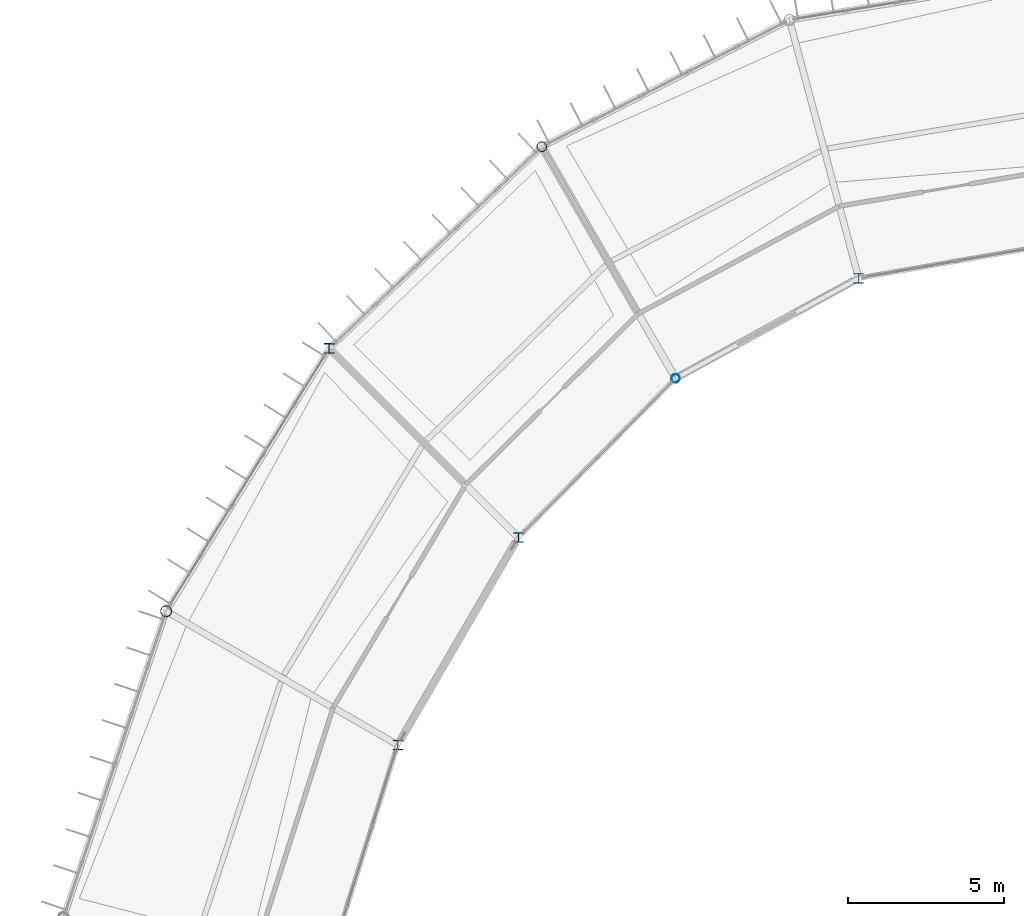
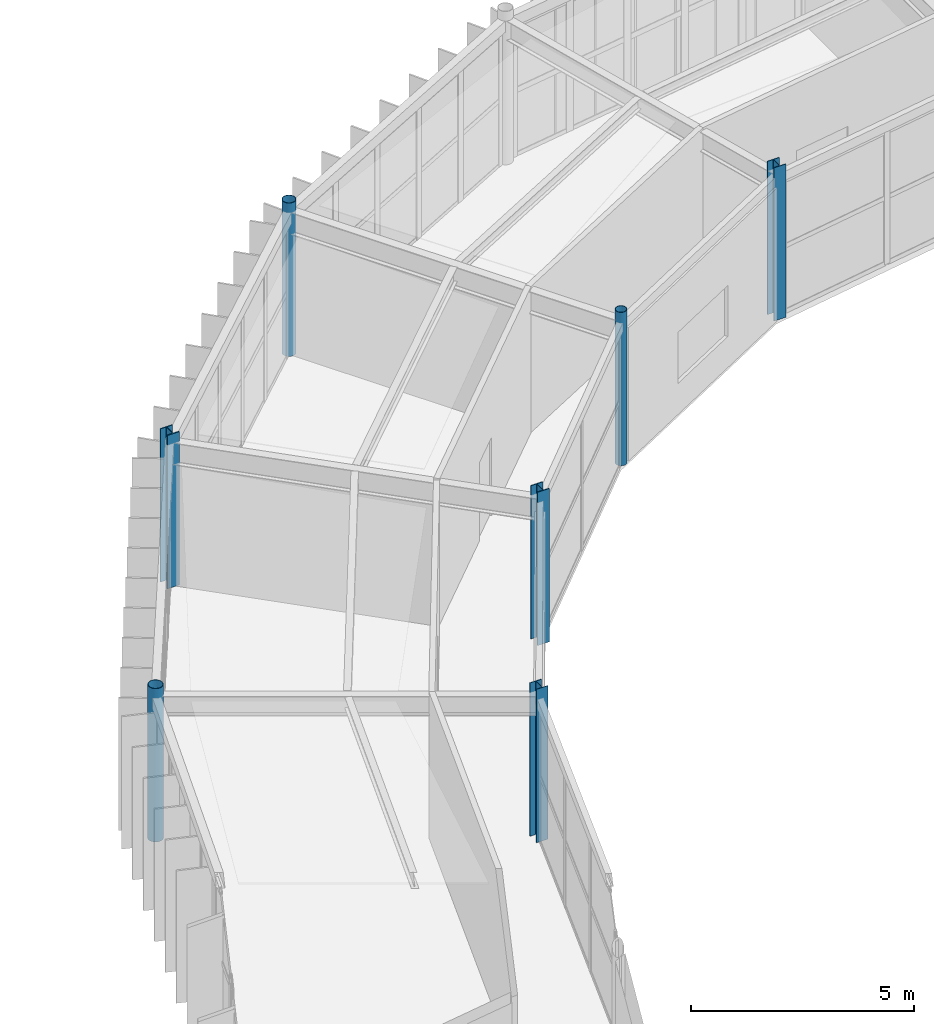
# One storey, part 12 of 147: 7 columns.
"""IFC4 building model written with IfcOpenShell, lengths in metres."""

import ifcopenshell
import ifcopenshell.guid

model = None  # the IFC model being written
_history = None  # IfcOwnerHistory: only IFC2X3 demands one
_inside = {}  # id of a spatial element -> (the spatial element, [elements in it])
_under = {}  # id of a project, library or spatial element -> (it, [spatial elements below it])
_declared = {}  # id of a project -> (the project, [libraries it declares])
_typed = {}  # id of a type object -> (the type object, [elements of that type])
_made_of = {}  # id of a material, layer set ... -> (it, [elements and type objects made of it])


def new_model(schema):
    """Start an empty IFC model of exactly this schema.

    Asked for "IFC4X3", IfcOpenShell would pick the latest addendum, in which some entities
    have other attributes; the version numbers below select the first issue.
    IFC2X3 requires an IfcOwnerHistory on every rooted entity: one is made here for all.
    """
    global model, _history
    if schema == "IFC4X3":
        model = ifcopenshell.file(schema_version=(4, 3, 0, 0))
    else:
        model = ifcopenshell.file(schema=schema)
    _inside.clear()
    _under.clear()
    _declared.clear()
    _typed.clear()
    _made_of.clear()
    _history = None
    if model.schema == "IFC2X3":
        org = make("IfcOrganization", Name="unknown")
        user = make(
            "IfcPersonAndOrganization",
            ThePerson=make("IfcPerson", FamilyName="unknown"),
            TheOrganization=org,
        )
        app = make(
            "IfcApplication",
            ApplicationDeveloper=org,
            Version="unknown",
            ApplicationFullName="unknown",
            ApplicationIdentifier="unknown",
        )
        _history = make(
            "IfcOwnerHistory",
            OwningUser=user,
            OwningApplication=app,
            ChangeAction="ADDED",
            CreationDate=0,
        )
    return model


def make(cls, **values):
    """One entity of the class cls with the attributes given. An attribute that is None is left unset."""
    return model.create_entity(
        cls, **{name: value for name, value in values.items() if value is not None}
    )


def rooted(cls, **values):
    """An entity with a GlobalId (a new one), such as an element, a storey or a relation."""
    return make(cls, GlobalId=ifcopenshell.guid.new(), OwnerHistory=_history, **values)


def si_unit(unit_type, name, prefix=None):
    """IfcSIUnit, for example si_unit("LENGTHUNIT", "METRE", prefix="MILLI")."""
    return make("IfcSIUnit", UnitType=unit_type, Prefix=prefix, Name=name)


def assignment(units):
    """IfcUnitAssignment: the units of a project."""
    return None if units is None else make("IfcUnitAssignment", Units=units)


def point(xyz):
    """IfcCartesianPoint."""
    return None if xyz is None else make("IfcCartesianPoint", Coordinates=xyz)


def direction(xyz):
    """IfcDirection."""
    return None if xyz is None else make("IfcDirection", DirectionRatios=xyz)


def frame(location, z_axis=None, x_axis=None):
    """IfcAxis2Placement3D, a coordinate frame: its origin and axes. An axis left out is left unset."""
    return make(
        "IfcAxis2Placement3D",
        Location=point(location),
        Axis=direction(z_axis),
        RefDirection=direction(x_axis),
    )


def frame_2d(location, x_axis=None):
    """IfcAxis2Placement2D, a coordinate frame in the plane: its origin and x axis."""
    return make(
        "IfcAxis2Placement2D", Location=point(location), RefDirection=direction(x_axis)
    )


def origin():
    """The frame at (0, 0, 0) with its axes left unset."""
    return frame((0.0, 0.0, 0.0))


def origin_2d():
    """The frame at (0, 0) in the plane with its x axis left unset."""
    return frame_2d((0.0, 0.0))


def place(relative_to, where):
    """IfcLocalPlacement: puts the frame where relative to a parent placement (None: the world)."""
    return make(
        "IfcLocalPlacement", PlacementRelTo=relative_to, RelativePlacement=where
    )


def context(
    kind, dimensions, precision=None, world=None, true_north=None, identifier=None
):
    """IfcGeometricRepresentationContext, for example the 3D "Model" context."""
    return make(
        "IfcGeometricRepresentationContext",
        ContextIdentifier=identifier,
        ContextType=kind,
        CoordinateSpaceDimension=dimensions,
        Precision=precision,
        WorldCoordinateSystem=world,
        TrueNorth=true_north,
    )


def subcontext(parent, identifier, kind, view, scale=None):
    """IfcGeometricRepresentationSubContext, for example "Body" below "Model"."""
    return make(
        "IfcGeometricRepresentationSubContext",
        ContextIdentifier=identifier,
        ContextType=kind,
        ParentContext=parent,
        TargetScale=scale,
        TargetView=view,
    )


def project(units=None, contexts=None):
    """IfcProject with its units and contexts."""
    return rooted(
        "IfcProject",
        Name="project",
        RepresentationContexts=contexts,
        UnitsInContext=assignment(units),
    )


def spatial(cls, under=None, at=None, **own):
    """A site, building, storey or space (cls), placed at a placement, below another one or the project."""
    s = rooted(cls, ObjectPlacement=at, **own)
    if under is not None:
        _under.setdefault(under.id(), (under, []))[1].append(s)
    return s


def profile(cls, at=None, kind="AREA", **sizes):
    """A parametric profile (cls). Its sizes go by their IFC names, for example OverallWidth=200.0."""
    return make(cls, ProfileType=kind, Position=at, **sizes)


def hollow_circle(**sizes):
    """IfcCircleHollowProfileDef."""
    return profile("IfcCircleHollowProfileDef", **sizes)


def i_section(**sizes):
    """IfcIShapeProfileDef."""
    return profile("IfcIShapeProfileDef", **sizes)


def extrude(swept, where, along, depth):
    """IfcExtrudedAreaSolid: the profile swept, set in the frame where, extruded along a direction by depth."""
    return make(
        "IfcExtrudedAreaSolid",
        SweptArea=swept,
        Position=where,
        ExtrudedDirection=direction(along),
        Depth=depth,
    )


def shape(context_of_items, identifier, shape_type, items):
    """IfcShapeRepresentation: the items that make up one representation, for example the "Body"."""
    return make(
        "IfcShapeRepresentation",
        ContextOfItems=context_of_items,
        RepresentationIdentifier=identifier,
        RepresentationType=shape_type,
        Items=items,
    )


def material(Name=None, Category=None):
    """IfcMaterial."""
    return make("IfcMaterial", Name=Name, Category=Category)


def material_profile(
    of_material, cross_section, Name=None, Category=None, Priority=None
):
    """IfcMaterialProfile: a cross section and its material."""
    return make(
        "IfcMaterialProfile",
        Name=Name,
        Material=of_material,
        Profile=cross_section,
        Priority=Priority,
        Category=Category,
    )


def profile_set(profiles, Name=None, composite=None):
    """IfcMaterialProfileSet."""
    return make(
        "IfcMaterialProfileSet",
        Name=Name,
        MaterialProfiles=profiles,
        CompositeProfile=composite,
    )


def made_of(thing, what):
    """Note that an element or type object is made of a material, layer set ...; save() writes the relation."""
    if what is not None:
        _made_of.setdefault(what.id(), (what, []))[1].append(thing)
    return thing


def type_object(cls, material=None, **own):
    """A type object (cls), such as IfcWallType, which elements share."""
    return made_of(rooted(cls, **own), material)


def element(
    cls,
    number,
    at=None,
    inside=None,
    cuts=None,
    type_object=None,
    material=None,
    context=None,
    identifier="Body",
    shape_type=None,
    held_by="IfcProductDefinitionShape",
    body=None,
    shapes=None,
    **own,
):
    """One element of the class cls, such as IfcWall. Its Tag is "e" and its number.

    at: its placement. inside: the storey or other place that contains it. cuts: it is an
    opening in that element (IfcRelVoidsElement). A single representation is given by context,
    identifier, shape_type and body (its items); several are given by shapes. held_by: the class
    of the entity that holds the representations. save() writes the other relations.
    """
    e = rooted(cls, Tag="e%d" % number, ObjectPlacement=at, **own)
    if body is not None:
        shapes = [shape(context, identifier, shape_type, body)]
    if shapes is not None:
        e.Representation = make(held_by, Representations=shapes)
    if inside is not None:
        _inside.setdefault(inside.id(), (inside, []))[1].append(e)
    if cuts is not None:
        rooted(
            "IfcRelVoidsElement", RelatingBuildingElement=cuts, RelatedOpeningElement=e
        )
    if type_object is not None:
        _typed.setdefault(type_object.id(), (type_object, []))[1].append(e)
    return made_of(e, material)


def aggregate(whole, parts):
    """IfcRelAggregates: a whole, such as a stair, and the parts it consists of."""
    return rooted("IfcRelAggregates", RelatingObject=whole, RelatedObjects=parts)


def save(model, path):
    """Write the relations noted so far, then the file.

    IfcRelAggregates (storeys below a building ...), IfcRelContainedInSpatialStructure (elements
    in a storey), IfcRelDefinesByType, IfcRelAssociatesMaterial and IfcRelDeclares: one each for
    every whole, place, type object, material and project.
    """
    for whole, parts in _under.values():
        aggregate(whole, parts)
    for where, things in _inside.values():
        rooted(
            "IfcRelContainedInSpatialStructure",
            RelatedElements=things,
            RelatingStructure=where,
        )
    for kind, things in _typed.values():
        rooted("IfcRelDefinesByType", RelatedObjects=things, RelatingType=kind)
    for what, things in _made_of.values():
        rooted("IfcRelAssociatesMaterial", RelatedObjects=things, RelatingMaterial=what)
    for by, libraries in _declared.values():
        rooted("IfcRelDeclares", RelatingContext=by, RelatedDefinitions=libraries)
    model.write(path)


model = new_model("IFC4")

# Units and contexts
model_context = context("Model", 3, precision=1e-05, world=origin(), true_north=direction((0.0, 1.0)))
body_context = subcontext(model_context, "Body", "Model", "MODEL_VIEW")
ifc_project = project(units=[si_unit("LENGTHUNIT", "METRE"), si_unit("AREAUNIT", "SQUARE_METRE"), si_unit("VOLUMEUNIT", "CUBIC_METRE"), si_unit("PLANEANGLEUNIT", "RADIAN"), si_unit("MASSUNIT", "GRAM", prefix="KILO")], contexts=[model_context])

# Site, building, storey
site_placement = place(None, origin())
site = spatial("IfcSite", under=ifc_project, at=site_placement, CompositionType="ELEMENT")
building_placement = place(site_placement, origin())
building = spatial("IfcBuilding", under=site, at=building_placement, Name="Karori Crest Natural Sciences Institute", CompositionType="ELEMENT")
storey_placement = place(building_placement, frame((0.0, 0.0, 9.10009765625)))
storey = spatial("IfcBuildingStorey", under=building, at=storey_placement, Name="L02", CompositionType="ELEMENT", Elevation=9.10009765625)

# Columns
ifc_material_1 = material(Name="Structural steel AS/NZS 3679.1 Grade 350", Category="steel")
ifc_material_profile_1 = material_profile(ifc_material_1, i_section(OverallWidth=0.31103515625, OverallDepth=0.326904296875, WebThickness=0.015625, FlangeThickness=0.02490234375, FilletRadius=0.01708984375, at=origin_2d()), Name="310UC158")
ifc_profile_set_1 = profile_set([ifc_material_profile_1], Name="Structural steel AS/NZS 3679.1 Grade 350")
column_type_1 = type_object("IfcColumnType", Name="CT-04", PredefinedType="COLUMN", material=ifc_profile_set_1)
column_1_placement = place(storey_placement, frame((43.0654296875, 78.75, 0.0), z_axis=(0.0, 0.0, 1.0), x_axis=(1.0, 0.0, 0.0)))
element("IfcColumn", 1, at=column_1_placement, inside=storey, type_object=column_type_1, Name="Column C-0163", PredefinedType="COLUMN", context=body_context, shape_type="SweptSolid", body=[
    extrude(i_section(OverallWidth=0.31103515625, OverallDepth=0.326904296875, WebThickness=0.015625, FlangeThickness=0.02490234375, FilletRadius=0.01708984375, at=origin_2d()), origin(), (0.0, 0.0, 1.0), 4.199951171875),
])
ifc_material_profile_2 = material_profile(ifc_material_1, i_section(OverallWidth=0.306884765625, OverallDepth=0.31494140625, WebThickness=0.011962890625, FlangeThickness=0.018798828125, FilletRadius=0.01708984375, at=origin_2d()), Name="310UC118")
ifc_profile_set_2 = profile_set([ifc_material_profile_2], Name="Structural steel AS/NZS 3679.1 Grade 350")
column_type_2 = type_object("IfcColumnType", Name="CT-05", PredefinedType="COLUMN", material=ifc_profile_set_2)
column_2_placement = place(storey_placement, frame((49.146484375, 72.668701171875, 0.0), z_axis=(0.0, 0.0, 1.0), x_axis=(1.0, 0.0, 0.0)))
element("IfcColumn", 2, at=column_2_placement, inside=storey, type_object=column_type_2, Name="Column C-0164", PredefinedType="COLUMN", context=body_context, shape_type="SweptSolid", body=[
    extrude(i_section(OverallWidth=0.306884765625, OverallDepth=0.31494140625, WebThickness=0.011962890625, FlangeThickness=0.018798828125, FilletRadius=0.01708984375, at=origin_2d()), origin(), (0.0, 0.0, 1.0), 4.199951171875),
])
ifc_material_2 = material(Name="Hollow structural steel AS/NZS 1163 Grade C350", Category="steel")
ifc_material_profile_3 = material_profile(ifc_material_2, hollow_circle(Radius=0.177734375, WallThickness=0.0126953125, at=origin_2d()), Name="CHS355.6x12.7")
ifc_profile_set_3 = profile_set([ifc_material_profile_3], Name="Hollow structural steel AS/NZS 1163 Grade C350")
column_type_3 = type_object("IfcColumnType", Name="CT-14", PredefinedType="COLUMN", material=ifc_profile_set_3)
column_3_placement = place(storey_placement, frame((37.8212890625, 70.300048828125, 0.0), z_axis=(0.0, 0.0, 1.0), x_axis=(1.0, 0.0, 0.0)))
element("IfcColumn", 3, at=column_3_placement, inside=storey, type_object=column_type_3, Name="Column C-0179", PredefinedType="COLUMN", context=body_context, shape_type="SweptSolid", body=[
    extrude(hollow_circle(Radius=0.177734375, WallThickness=0.0126953125, at=origin_2d()), origin(), (0.0, 0.0, 1.0), 4.199951171875),
])
ifc_material_profile_4 = material_profile(ifc_material_2, hollow_circle(Radius=0.161865234375, WallThickness=0.0126953125, at=origin_2d()), Name="CHS323.9x12.7")
ifc_profile_set_4 = profile_set([ifc_material_profile_4], Name="Hollow structural steel AS/NZS 1163 Grade C350")
column_type_4 = type_object("IfcColumnType", Name="CT-15", PredefinedType="COLUMN", material=ifc_profile_set_4)
column_4_placement = place(storey_placement, frame((49.89990234375, 85.23388671875, 0.0), z_axis=(0.0, 0.0, 1.0), x_axis=(1.0, 0.0, 0.0)))
element("IfcColumn", 4, at=column_4_placement, inside=storey, type_object=column_type_4, Name="Column C-0147", PredefinedType="COLUMN", context=body_context, shape_type="SweptSolid", body=[
    extrude(hollow_circle(Radius=0.161865234375, WallThickness=0.0126953125, at=origin_2d()), origin(), (0.0, 0.0, 1.0), 4.199951171875),
])
ifc_material_profile_5 = material_profile(ifc_material_2, hollow_circle(Radius=0.136474609375, WallThickness=0.00927734375, at=origin_2d()), Name="CHS273.0x9.3")
ifc_profile_set_5 = profile_set([ifc_material_profile_5], Name="Hollow structural steel AS/NZS 1163 Grade C350")
column_type_5 = type_object("IfcColumnType", Name="CT-16", PredefinedType="COLUMN", material=ifc_profile_set_5)
column_5_placement = place(storey_placement, frame((54.199951171875, 77.785888671875, 0.0), z_axis=(0.0, 0.0, 1.0), x_axis=(1.0, 0.0, 0.0)))
element("IfcColumn", 5, at=column_5_placement, inside=storey, type_object=column_type_5, Name="Column C-0148", PredefinedType="COLUMN", context=body_context, shape_type="SweptSolid", body=[
    extrude(hollow_circle(Radius=0.136474609375, WallThickness=0.00927734375, at=origin_2d()), origin(), (0.0, 0.0, 1.0), 4.199951171875),
])
ifc_material_profile_6 = material_profile(ifc_material_1, i_section(OverallWidth=0.304931640625, OverallDepth=0.30810546875, WebThickness=0.010009765625, FlangeThickness=0.015380859375, FilletRadius=0.01708984375, at=origin_2d()), Name="310UC96.8")
ifc_profile_set_6 = profile_set([ifc_material_profile_6], Name="Structural steel AS/NZS 3679.1 Grade 350")
column_type_6 = type_object("IfcColumnType", Name="CT-25", PredefinedType="COLUMN", material=ifc_profile_set_6)
for number, where, z_axis, x_axis, name in (
    (6, (60.084716796875, 81.002685546875, 0.0), (0.0, 0.0, 1.0), (1.0, 0.0, 0.0), "Column C-0132"),
    (7, (45.26904296875, 66.0, 0.0), (0.0, 0.0, 1.0), (1.0, 0.0, 0.0), "Column C-0180"),
):
    element("IfcColumn", number, at=place(storey_placement, frame(where, z_axis=z_axis, x_axis=x_axis)), inside=storey, type_object=column_type_6, Name=name, PredefinedType="COLUMN", context=body_context, shape_type="SweptSolid", body=[
        extrude(i_section(OverallWidth=0.304931640625, OverallDepth=0.30810546875, WebThickness=0.010009765625, FlangeThickness=0.015380859375, FilletRadius=0.01708984375, at=origin_2d()), origin(), (0.0, 0.0, 1.0), 4.199951171875),
    ])

save(model, "model.ifc")
